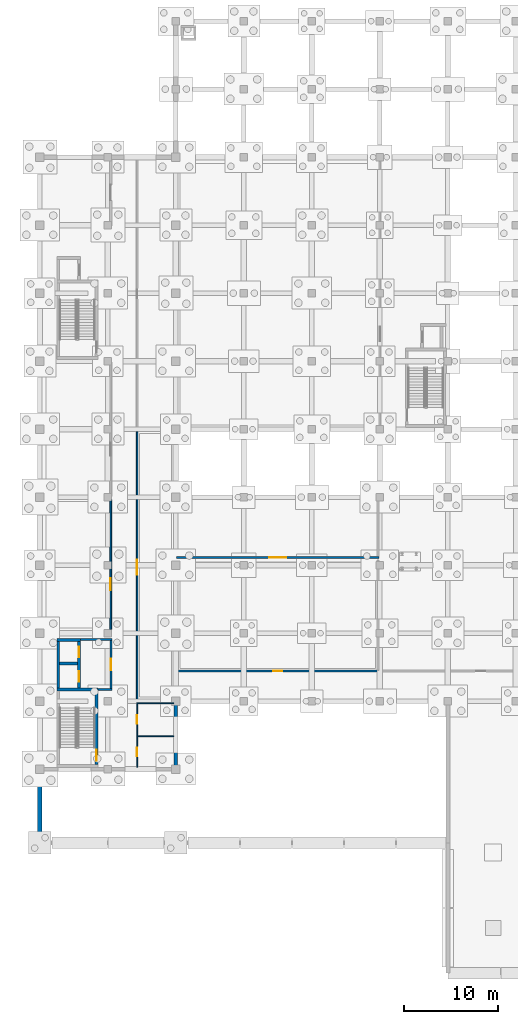
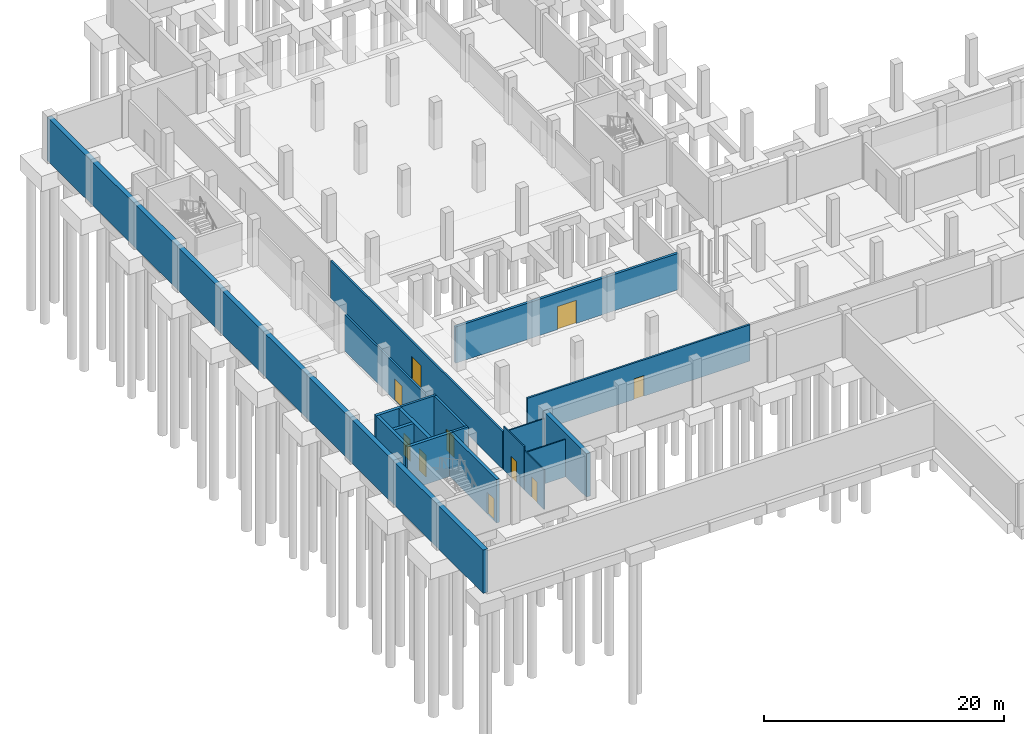
# One storey, part 23 of 38: 19 walls, 10 doors, 10 openings.
"""IFC4 building model written with IfcOpenShell, lengths in metres."""

from ifc_helpers import new_model, si_unit, direction, frame, frame_2d, origin, place, context, subcontext, project, spatial, rectangle, extrude, material, layer, layer_set, type_object, element, fill, save


model = new_model("IFC4")

# Units and contexts
model_context = context("Model", 3, precision=1e-05, world=origin(), true_north=direction((0.0, 1.0)))
body_context = subcontext(model_context, "Body", "Model", "MODEL_VIEW")
ifc_project = project(units=[si_unit("LENGTHUNIT", "METRE"), si_unit("AREAUNIT", "SQUARE_METRE"), si_unit("VOLUMEUNIT", "CUBIC_METRE"), si_unit("PLANEANGLEUNIT", "RADIAN"), si_unit("MASSUNIT", "GRAM", prefix="KILO")], contexts=[model_context])

# Site, building, storey
site_placement = place(None, origin())
site = spatial("IfcSite", under=ifc_project, at=site_placement, CompositionType="ELEMENT")
building_placement = place(site_placement, origin())
building = spatial("IfcBuilding", under=site, at=building_placement, Name="Valkovuoma Quantum and Materials Research Institute", CompositionType="ELEMENT")
storey_placement = place(building_placement, frame((0.0, 0.0, -4.800048828125)))
storey = spatial("IfcBuildingStorey", under=building, at=storey_placement, Name="B1", CompositionType="ELEMENT", Elevation=-4.800048828125)

# Wall
ifc_material_1 = material(Name="Concrete C40/50", Category="concrete")
ifc_layer_1 = layer(ifc_material_1, 0.300048828125)
ifc_layer_set_1 = layer_set([ifc_layer_1], Name="Concrete C40/50")
wall_type_1 = type_object("IfcWallType", Name="Wall-W-COR300", PredefinedType="SHEAR", material=ifc_layer_set_1)
wall_1_placement = place(storey_placement, frame((1.800048828125, 37.25, 0.0), z_axis=(0.0, 0.0, 1.0), x_axis=(1.0, 0.0, 0.0)))
element("IfcWall", 1, at=wall_1_placement, inside=storey, type_object=wall_type_1, Name="B1 core wall 0002", PredefinedType="SHEAR", context=body_context, shape_type="SweptSolid", body=[
    extrude(rectangle(XDim=4.349853515625, YDim=0.300048828125, at=frame_2d((2.1748046875, 0.0))), origin(), (0.0, 0.0, 1.0), 4.400146484375),
])

# Wall, opening, door
wall_2_placement = place(storey_placement, frame((6.0, 29.300048828125, 0.0), z_axis=(0.0, 0.0, 1.0), x_axis=(0.0, 1.0, 0.0)))
wall_2 = element("IfcWall", 2, at=wall_2_placement, inside=storey, type_object=wall_type_1, Name="B1 core wall 0004", PredefinedType="SHEAR", context=body_context, shape_type="SweptSolid", body=[
    extrude(rectangle(XDim=7.800048828125, YDim=0.300048828125, at=frame_2d((3.89990234375, 0.0))), origin(), (0.0, 0.0, 1.0), 4.400146484375),
])
opening_1_placement = place(wall_2_placement, frame((0.39990234375, 0.0, 0.0)))
opening_1 = element("IfcOpeningElement", 3, at=opening_1_placement, cuts=wall_2, Name="Opening SD-001", PredefinedType="OPENING", context=body_context, shape_type="SweptSolid", body=[
    extrude(rectangle(XDim=1.14990234375, YDim=2.199951171875, at=frame_2d((0.574951171875, 1.10009765625))), frame((0.0, 0.16015625, 0.0), z_axis=(0.0, -1.0, 0.0), x_axis=(1.0, 0.0, 0.0)), (0.0, 0.0, 1.0), 0.320068359375),
])
ifc_material_2 = material(Name="Powder-coated steel and acoustic timber door assembly", Category="steel")
door_type_1 = type_object("IfcDoorType", Name="Door-DR-ST60", OperationType="NOTDEFINED", PredefinedType="DOOR", material=ifc_material_2)
door_1_placement = place(opening_1_placement, origin())
door_1 = element("IfcDoor", 4, at=door_1_placement, inside=storey, type_object=door_type_1, Name="B1 ST-1 fire door", OperationType="SINGLE_SWING_RIGHT", OverallHeight=2.199951171875, OverallWidth=1.14990234375, PredefinedType="DOOR", context=body_context, shape_type="SweptSolid", body=[
    extrude(rectangle(XDim=1.14990234375, YDim=2.199951171875, at=frame_2d((0.574951171875, 1.10009765625))), frame((0.0, 0.02490234375, 0.0), z_axis=(0.0, -1.0, 0.0), x_axis=(1.0, 0.0, 0.0)), (0.0, 0.0, 1.0), 0.050048828125),
])
fill(opening_1, door_1)

# Walls
wall_3_placement = place(storey_placement, frame((1.800048828125, 42.47998046875, 0.0), z_axis=(0.0, 0.0, 1.0), x_axis=(1.0, 0.0, 0.0)))
element("IfcWall", 5, at=wall_3_placement, inside=storey, type_object=wall_type_1, Name="B1 core wall 0005", PredefinedType="SHEAR", context=body_context, shape_type="SweptSolid", body=[
    extrude(rectangle(XDim=2.47998046875, YDim=0.300048828125, at=frame_2d((1.239990234375, 0.0))), origin(), (0.0, 0.0, 1.0), 4.400146484375),
])
wall_4_placement = place(storey_placement, frame((2.10009765625, 39.97509765625, 0.0), z_axis=(0.0, 0.0, 1.0), x_axis=(1.0, 0.0, 0.0)))
element("IfcWall", 6, at=wall_4_placement, inside=storey, type_object=wall_type_1, Name="B1 core wall 0006", PredefinedType="SHEAR", context=body_context, shape_type="SweptSolid", body=[
    extrude(rectangle(XDim=1.8798828125, YDim=0.300048828125, at=frame_2d((0.93994140625, 0.0))), origin(), (0.0, 0.0, 1.0), 4.400146484375),
])
wall_5_placement = place(storey_placement, frame((1.949951171875, 37.39990234375, 0.0), z_axis=(0.0, 0.0, 1.0), x_axis=(0.0, 1.0, 0.0)))
element("IfcWall", 7, at=wall_5_placement, inside=storey, type_object=wall_type_1, Name="B1 core wall 0007", PredefinedType="SHEAR", context=body_context, shape_type="SweptSolid", body=[
    extrude(rectangle(XDim=4.93017578125, YDim=0.300048828125, at=frame_2d((2.465087890625, 0.0))), origin(), (0.0, 0.0, 1.0), 4.400146484375),
])

# Wall, openings, doors
wall_6_placement = place(storey_placement, frame((4.1298828125, 37.39990234375, 0.0), z_axis=(0.0, 0.0, 1.0), x_axis=(0.0, 1.0, 0.0)))
wall_6 = element("IfcWall", 8, at=wall_6_placement, inside=storey, type_object=wall_type_1, Name="B1 core wall 0008", PredefinedType="SHEAR", context=body_context, shape_type="SweptSolid", body=[
    extrude(rectangle(XDim=4.93017578125, YDim=0.300048828125, at=frame_2d((2.465087890625, 0.0))), origin(), (0.0, 0.0, 1.0), 4.400146484375),
])
opening_2_placement = place(wall_6_placement, frame((0.64990234375, 0.0, 0.0)))
opening_2 = element("IfcOpeningElement", 9, at=opening_2_placement, cuts=wall_6, Name="Opening LD-001", PredefinedType="OPENING", context=body_context, shape_type="SweptSolid", body=[
    extrude(rectangle(XDim=1.10009765625, YDim=2.199951171875, at=frame_2d((0.550048828125, 1.10009765625))), frame((0.0, 0.16015625, 0.0), z_axis=(0.0, -1.0, 0.0), x_axis=(1.0, 0.0, 0.0)), (0.0, 0.0, 1.0), 0.320068359375),
])
opening_3_placement = place(wall_6_placement, frame((3.25, 0.0, 0.0)))
opening_3 = element("IfcOpeningElement", 10, at=opening_3_placement, cuts=wall_6, Name="Opening LD-002", PredefinedType="OPENING", context=body_context, shape_type="SweptSolid", body=[
    extrude(rectangle(XDim=1.10009765625, YDim=2.199951171875, at=frame_2d((0.550048828125, 1.10009765625))), frame((0.0, 0.16015625, 0.0), z_axis=(0.0, -1.0, 0.0), x_axis=(1.0, 0.0, 0.0)), (0.0, 0.0, 1.0), 0.320068359375),
])
ifc_material_3 = material(Name="Powder-coated steel and acoustic timber door assembly", Category="steel")
door_type_2 = type_object("IfcDoorType", Name="Door-DR-LD01", OperationType="NOTDEFINED", PredefinedType="DOOR", material=ifc_material_3)
door_2_placement = place(opening_2_placement, origin())
door_2 = element("IfcDoor", 11, at=door_2_placement, inside=storey, type_object=door_type_2, Name="B1 LIFT-FF1 sliding landing door", OperationType="SLIDING_TO_LEFT", OverallHeight=2.199951171875, OverallWidth=1.10009765625, PredefinedType="DOOR", context=body_context, shape_type="SweptSolid", body=[
    extrude(rectangle(XDim=1.10009765625, YDim=2.199951171875, at=frame_2d((0.550048828125, 1.10009765625))), frame((0.0, 0.02490234375, 0.0), z_axis=(0.0, -1.0, 0.0), x_axis=(1.0, 0.0, 0.0)), (0.0, 0.0, 1.0), 0.050048828125),
])
fill(opening_2, door_2)
door_3_placement = place(opening_3_placement, origin())
door_3 = element("IfcDoor", 12, at=door_3_placement, inside=storey, type_object=door_type_2, Name="B1 LIFT-P1 sliding landing door", OperationType="SLIDING_TO_LEFT", OverallHeight=2.199951171875, OverallWidth=1.10009765625, PredefinedType="DOOR", context=body_context, shape_type="SweptSolid", body=[
    extrude(rectangle(XDim=1.10009765625, YDim=2.199951171875, at=frame_2d((0.550048828125, 1.10009765625))), frame((0.0, 0.02490234375, 0.0), z_axis=(0.0, -1.0, 0.0), x_axis=(1.0, 0.0, 0.0)), (0.0, 0.0, 1.0), 0.050048828125),
])
fill(opening_3, door_3)

# Walls
ifc_material_4 = material(Name="Concrete C40/50", Category="concrete")
ifc_layer_2 = layer(ifc_material_4, 0.219970703125)
ifc_layer_set_2 = layer_set([ifc_layer_2], Name="Concrete C40/50")
wall_type_2 = type_object("IfcWallType", Name="Wall-W-FFL220", PredefinedType="SOLIDWALL", material=ifc_layer_set_2)
wall_7_placement = place(storey_placement, frame((6.14990234375, 37.25, 0.0), z_axis=(0.0, 0.0, 1.0), x_axis=(1.0, 0.0, 0.0)))
element("IfcWall", 13, at=wall_7_placement, inside=storey, type_object=wall_type_2, Name="B1 core wall 0009", PredefinedType="SOLIDWALL", context=body_context, shape_type="SweptSolid", body=[
    extrude(rectangle(XDim=1.510009765625, YDim=0.219970703125, at=frame_2d((0.7548828125, 0.0))), origin(), (0.0, 0.0, 1.0), 4.400146484375),
])
wall_8_placement = place(storey_placement, frame((4.280029296875, 42.550048828125, 0.0), z_axis=(0.0, 0.0, 1.0), x_axis=(1.0, 0.0, 0.0)))
element("IfcWall", 14, at=wall_8_placement, inside=storey, type_object=wall_type_2, Name="B1 core wall 0010", PredefinedType="SOLIDWALL", context=body_context, shape_type="SweptSolid", body=[
    extrude(rectangle(XDim=3.3798828125, YDim=0.219970703125, at=frame_2d((1.68994140625, 0.0))), origin(), (0.0, 0.0, 1.0), 4.400146484375),
])

# Wall, opening, door
wall_9_placement = place(storey_placement, frame((7.550048828125, 37.360107421875, 0.0), z_axis=(0.0, 0.0, 1.0), x_axis=(0.0, 1.0, 0.0)))
wall_9 = element("IfcWall", 15, at=wall_9_placement, inside=storey, type_object=wall_type_2, Name="B1 core wall 0011", PredefinedType="SOLIDWALL", context=body_context, shape_type="SweptSolid", body=[
    extrude(rectangle(XDim=5.079833984375, YDim=0.219970703125, at=frame_2d((2.5400390625, 0.0))), origin(), (0.0, 0.0, 1.0), 4.400146484375),
])
opening_4_placement = place(wall_9_placement, frame((1.93994140625, 0.0, 0.0)))
opening_4 = element("IfcOpeningElement", 16, at=opening_4_placement, cuts=wall_9, Name="Opening FD-002", PredefinedType="OPENING", context=body_context, shape_type="SweptSolid", body=[
    extrude(rectangle(XDim=1.199951171875, YDim=2.199951171875, at=frame_2d((0.60009765625, 1.10009765625))), frame((0.0, 0.1201171875, 0.0), z_axis=(0.0, -1.0, 0.0), x_axis=(1.0, 0.0, 0.0)), (0.0, 0.0, 1.0), 0.239990234375),
])
ifc_material_5 = material(Name="Powder-coated steel and acoustic timber door assembly", Category="steel")
door_type_3 = type_object("IfcDoorType", Name="Door-DR-FF60", OperationType="NOTDEFINED", PredefinedType="DOOR", material=ifc_material_5)
door_4_placement = place(opening_4_placement, origin())
door_4 = element("IfcDoor", 17, at=door_4_placement, inside=storey, type_object=door_type_3, Name="B1 firefighting lobby door", OperationType="SINGLE_SWING_RIGHT", OverallHeight=2.199951171875, OverallWidth=1.199951171875, PredefinedType="DOOR", context=body_context, shape_type="SweptSolid", body=[
    extrude(rectangle(XDim=1.199951171875, YDim=2.199951171875, at=frame_2d((0.60009765625, 1.10009765625))), frame((0.0, 0.02490234375, 0.0), z_axis=(0.0, -1.0, 0.0), x_axis=(1.0, 0.0, 0.0)), (0.0, 0.0, 1.0), 0.050048828125),
])
fill(opening_4, door_4)

# Wall
ifc_material_6 = material(Name="Service and WC partition", Category="masonry")
ifc_layer_3 = layer(ifc_material_6, 0.1201171875)
ifc_layer_set_3 = layer_set([ifc_layer_3], Name="Service and WC partition")
wall_type_3 = type_object("IfcWallType", Name="Wall-W-PRT120", PredefinedType="PARTITIONING", material=ifc_layer_set_3)
wall_10_placement = place(storey_placement, frame((10.239990234375, 32.300048828125, 0.0), z_axis=(0.0, 0.0, 1.0), x_axis=(1.0, 0.0, 0.0)))
element("IfcWall", 18, at=wall_10_placement, inside=storey, type_object=wall_type_3, Name="B1 partition 0001", PredefinedType="PARTITIONING", context=body_context, shape_type="SweptSolid", body=[
    extrude(rectangle(XDim=3.9599609375, YDim=0.1201171875, at=frame_2d((1.97998046875, 0.0))), origin(), (0.0, 0.0, 1.0), 3.800048828125),
])

# Wall, opening, door
wall_11_placement = place(storey_placement, frame((10.300048828125, 29.0, 0.0), z_axis=(0.0, 0.0, 1.0), x_axis=(0.0, 1.0, 0.0)))
wall_11 = element("IfcWall", 19, at=wall_11_placement, inside=storey, type_object=wall_type_3, Name="B1 partition 0002", PredefinedType="PARTITIONING", context=body_context, shape_type="SweptSolid", body=[
    extrude(rectangle(XDim=3.239990234375, YDim=0.1201171875, at=frame_2d((1.6201171875, 0.0))), origin(), (0.0, 0.0, 1.0), 4.010009765625),
])
opening_5_placement = place(wall_11_placement, frame((1.14990234375, 0.0, 0.0)))
opening_5 = element("IfcOpeningElement", 20, at=opening_5_placement, cuts=wall_11, Name="Opening ID-0001", PredefinedType="OPENING", context=body_context, shape_type="SweptSolid", body=[
    extrude(rectangle(XDim=0.93994140625, YDim=2.10009765625, at=frame_2d((0.469970703125, 1.050048828125))), frame((0.0, 0.070068359375, 0.0), z_axis=(0.0, -1.0, 0.0), x_axis=(1.0, 0.0, 0.0)), (0.0, 0.0, 1.0), 0.14013671875),
])
ifc_material_7 = material(Name="Powder-coated steel and acoustic timber door assembly", Category="steel")
door_type_4 = type_object("IfcDoorType", Name="Door-DR-WC01", OperationType="NOTDEFINED", PredefinedType="DOOR", material=ifc_material_7)
door_5_placement = place(opening_5_placement, origin())
door_5 = element("IfcDoor", 21, at=door_5_placement, inside=storey, type_object=door_type_4, Name="B1 room door 0001", OperationType="SINGLE_SWING_RIGHT", OverallHeight=2.10009765625, OverallWidth=0.93994140625, PredefinedType="DOOR", context=body_context, shape_type="SweptSolid", body=[
    extrude(rectangle(XDim=0.93994140625, YDim=2.10009765625, at=frame_2d((0.469970703125, 1.050048828125))), frame((0.0, 0.02490234375, 0.0), z_axis=(0.0, -1.0, 0.0), x_axis=(1.0, 0.0, 0.0)), (0.0, 0.0, 1.0), 0.050048828125),
])
fill(opening_5, door_5)

# Wall
wall_12_placement = place(storey_placement, frame((10.239990234375, 35.800048828125, 0.0), z_axis=(0.0, 0.0, 1.0), x_axis=(1.0, 0.0, 0.0)))
element("IfcWall", 22, at=wall_12_placement, inside=storey, type_object=wall_type_3, Name="B1 partition 0003", PredefinedType="PARTITIONING", context=body_context, shape_type="SweptSolid", body=[
    extrude(rectangle(XDim=3.9599609375, YDim=0.1201171875, at=frame_2d((1.97998046875, 0.0))), origin(), (0.0, 0.0, 1.0), 3.800048828125),
])

# Wall, opening, door
wall_13_placement = place(storey_placement, frame((10.300048828125, 32.360107421875, 0.0), z_axis=(0.0, 0.0, 1.0), x_axis=(0.0, 1.0, 0.0)))
wall_13 = element("IfcWall", 23, at=wall_13_placement, inside=storey, type_object=wall_type_3, Name="B1 partition 0004", PredefinedType="PARTITIONING", context=body_context, shape_type="SweptSolid", body=[
    extrude(rectangle(XDim=3.3798828125, YDim=0.1201171875, at=frame_2d((1.68994140625, 0.0))), origin(), (0.0, 0.0, 1.0), 4.400146484375),
])
opening_6_placement = place(wall_13_placement, frame((1.239990234375, 0.0, 0.0)))
opening_6 = element("IfcOpeningElement", 24, at=opening_6_placement, cuts=wall_13, Name="Opening ID-0002", PredefinedType="OPENING", context=body_context, shape_type="SweptSolid", body=[
    extrude(rectangle(XDim=0.89990234375, YDim=2.10009765625, at=frame_2d((0.449951171875, 1.050048828125))), frame((0.0, 0.070068359375, 0.0), z_axis=(0.0, -1.0, 0.0), x_axis=(1.0, 0.0, 0.0)), (0.0, 0.0, 1.0), 0.14013671875),
])
ifc_material_8 = material(Name="Powder-coated steel and acoustic timber door assembly", Category="steel")
door_type_5 = type_object("IfcDoorType", Name="Door-DR-WC02", OperationType="NOTDEFINED", PredefinedType="DOOR", material=ifc_material_8)
door_6_placement = place(opening_6_placement, origin())
door_6 = element("IfcDoor", 25, at=door_6_placement, inside=storey, type_object=door_type_5, Name="B1 room door 0002", OperationType="SINGLE_SWING_LEFT", OverallHeight=2.10009765625, OverallWidth=0.89990234375, PredefinedType="DOOR", context=body_context, shape_type="SweptSolid", body=[
    extrude(rectangle(XDim=0.89990234375, YDim=2.10009765625, at=frame_2d((0.449951171875, 1.050048828125))), frame((0.0, 0.02490234375, 0.0), z_axis=(0.0, -1.0, 0.0), x_axis=(1.0, 0.0, 0.0)), (0.0, 0.0, 1.0), 0.050048828125),
])
fill(opening_6, door_6)

ifc_material_9 = material(Name="Laboratory fire-rated gypsum partition", Category="masonry")
ifc_layer_4 = layer(ifc_material_9, 0.179931640625)
ifc_layer_set_4 = layer_set([ifc_layer_4], Name="Laboratory fire-rated gypsum partition")
wall_type_4 = type_object("IfcWallType", Name="Wall-W-PRT180", PredefinedType="PARTITIONING", material=ifc_layer_set_4)
wall_14_placement = place(storey_placement, frame((7.5, 43.590087890625, 0.0), z_axis=(0.0, 0.0, 1.0), x_axis=(0.0, 1.0, 0.0)))
wall_14 = element("IfcWall", 26, at=wall_14_placement, inside=storey, type_object=wall_type_4, Name="B1 partition 0005", PredefinedType="PARTITIONING", context=body_context, shape_type="SweptSolid", body=[
    extrude(rectangle(XDim=13.719970703125, YDim=0.179931640625, at=frame_2d((6.85986328125, 0.0))), origin(), (0.0, 0.0, 1.0), 3.699951171875),
])
opening_7_placement = place(wall_14_placement, frame((4.177001953125, 0.0, 0.0)))
opening_7 = element("IfcOpeningElement", 27, at=opening_7_placement, cuts=wall_14, Name="Opening ID-0003", PredefinedType="OPENING", context=body_context, shape_type="SweptSolid", body=[
    extrude(rectangle(XDim=1.25, YDim=2.199951171875, at=frame_2d((0.625, 1.10009765625))), frame((0.0, 0.10009765625, 0.0), z_axis=(0.0, -1.0, 0.0), x_axis=(1.0, 0.0, 0.0)), (0.0, 0.0, 1.0), 0.199951171875),
])
ifc_material_10 = material(Name="Powder-coated steel and acoustic timber door assembly", Category="steel")
door_type_6 = type_object("IfcDoorType", Name="Door-DR-LB03", OperationType="NOTDEFINED", PredefinedType="DOOR", material=ifc_material_10)
door_7_placement = place(opening_7_placement, origin())
door_7 = element("IfcDoor", 28, at=door_7_placement, inside=storey, type_object=door_type_6, Name="B1 room door 0003", OperationType="SINGLE_SWING_RIGHT", OverallHeight=2.199951171875, OverallWidth=1.25, PredefinedType="DOOR", context=body_context, shape_type="SweptSolid", body=[
    extrude(rectangle(XDim=1.25, YDim=2.199951171875, at=frame_2d((0.625, 1.10009765625))), frame((0.0, 0.02490234375, 0.0), z_axis=(0.0, -1.0, 0.0), x_axis=(1.0, 0.0, 0.0)), (0.0, 0.0, 1.0), 0.050048828125),
])
fill(opening_7, door_7)

wall_15_placement = place(storey_placement, frame((10.300048828125, 35.860107421875, 0.0), z_axis=(0.0, 0.0, 1.0), x_axis=(0.0, 1.0, 0.0)))
wall_15 = element("IfcWall", 29, at=wall_15_placement, inside=storey, type_object=wall_type_4, Name="B1 partition 0008", PredefinedType="PARTITIONING", context=body_context, shape_type="SweptSolid", body=[
    extrude(rectangle(XDim=28.64990234375, YDim=0.179931640625, at=frame_2d((14.324951171875, 0.0))), origin(), (0.0, 0.0, 1.0), 3.800048828125),
])
opening_8_placement = place(wall_15_placement, frame((13.52490234375, 0.0, 0.0)))
opening_8 = element("IfcOpeningElement", 30, at=opening_8_placement, cuts=wall_15, Name="Opening ID-0006", PredefinedType="OPENING", context=body_context, shape_type="SweptSolid", body=[
    extrude(rectangle(XDim=1.60009765625, YDim=2.25, at=frame_2d((0.800048828125, 1.125))), frame((0.0, 0.10009765625, 0.0), z_axis=(0.0, -1.0, 0.0), x_axis=(1.0, 0.0, 0.0)), (0.0, 0.0, 1.0), 0.199951171875),
])
ifc_material_11 = material(Name="Powder-coated steel and acoustic timber door assembly", Category="steel")
door_type_7 = type_object("IfcDoorType", Name="Door-DR-LB06", OperationType="NOTDEFINED", PredefinedType="DOOR", material=ifc_material_11)
door_8_placement = place(opening_8_placement, origin())
door_8 = element("IfcDoor", 31, at=door_8_placement, inside=storey, type_object=door_type_7, Name="B1 room door 0006", OperationType="DOUBLE_DOOR_SINGLE_SWING", OverallHeight=2.25, OverallWidth=1.60009765625, PredefinedType="DOOR", context=body_context, shape_type="SweptSolid", body=[
    extrude(rectangle(XDim=1.60009765625, YDim=2.25, at=frame_2d((0.800048828125, 1.125))), frame((0.0, 0.02490234375, 0.0), z_axis=(0.0, -1.0, 0.0), x_axis=(1.0, 0.0, 0.0)), (0.0, 0.0, 1.0), 0.050048828125),
])
fill(opening_8, door_8)

wall_16_placement = place(storey_placement, frame((14.510009765625, 39.199951171875, 0.0), z_axis=(0.0, 0.0, 1.0), x_axis=(1.0, 0.0, 0.0)))
wall_16 = element("IfcWall", 32, at=wall_16_placement, inside=storey, type_object=wall_type_4, Name="B1 partition 0010", PredefinedType="PARTITIONING", context=body_context, shape_type="SweptSolid", body=[
    extrude(rectangle(XDim=21.3798828125, YDim=0.179931640625, at=frame_2d((10.68994140625, 0.0))), origin(), (0.0, 0.0, 1.0), 3.699951171875),
])
opening_9_placement = place(wall_16_placement, frame((10.215087890625, 0.0, 0.0)))
opening_9 = element("IfcOpeningElement", 33, at=opening_9_placement, cuts=wall_16, Name="Opening ID-0008", PredefinedType="OPENING", context=body_context, shape_type="SweptSolid", body=[
    extrude(rectangle(XDim=0.949951171875, YDim=2.10009765625, at=frame_2d((0.47509765625, 1.050048828125))), frame((0.0, 0.10009765625, 0.0), z_axis=(0.0, -1.0, 0.0), x_axis=(1.0, 0.0, 0.0)), (0.0, 0.0, 1.0), 0.199951171875),
])
ifc_material_12 = material(Name="Powder-coated steel and acoustic timber door assembly", Category="steel")
door_type_8 = type_object("IfcDoorType", Name="Door-DR-OF02", OperationType="NOTDEFINED", PredefinedType="DOOR", material=ifc_material_12)
door_9_placement = place(opening_9_placement, origin())
door_9 = element("IfcDoor", 34, at=door_9_placement, inside=storey, type_object=door_type_8, Name="B1 room door 0008", OperationType="SINGLE_SWING_LEFT", OverallHeight=2.10009765625, OverallWidth=0.949951171875, PredefinedType="DOOR", context=body_context, shape_type="SweptSolid", body=[
    extrude(rectangle(XDim=0.949951171875, YDim=2.10009765625, at=frame_2d((0.47509765625, 1.050048828125))), frame((0.0, 0.02490234375, 0.0), z_axis=(0.0, -1.0, 0.0), x_axis=(1.0, 0.0, 0.0)), (0.0, 0.0, 1.0), 0.050048828125),
])
fill(opening_9, door_9)

# Walls
ifc_material_13 = material(Name="Concrete C35/45", Category="concrete")
ifc_layer_5 = layer(ifc_material_13, 0.39990234375)
ifc_layer_set_5 = layer_set([ifc_layer_5], Name="Concrete C35/45")
wall_type_5 = type_object("IfcWallType", Name="Wall-W-RET400", PredefinedType="STANDARD", material=ifc_layer_set_5)
wall_17_placement = place(storey_placement, frame((14.39990234375, 28.800048828125, 0.0), z_axis=(0.0, 0.0, 1.0), x_axis=(0.0, 1.0, 0.0)))
element("IfcWall", 35, at=wall_17_placement, inside=storey, type_object=wall_type_5, Name="B1 exterior wall 0024", PredefinedType="STANDARD", context=body_context, shape_type="SweptSolid", body=[
    extrude(rectangle(XDim=7.199951171875, YDim=0.39990234375, at=frame_2d((3.60009765625, 0.0))), origin(), (0.0, 0.0, 1.0), 4.400146484375),
])
ifc_material_14 = material(Name="Concrete C35/45", Category="concrete")
ifc_layer_6 = layer(ifc_material_14, 0.449951171875)
ifc_layer_set_6 = layer_set([ifc_layer_6], Name="Concrete C35/45")
wall_type_6 = type_object("IfcWallType", Name="Wall-W-RET450", PredefinedType="STANDARD", material=ifc_layer_set_6)
wall_18_placement = place(storey_placement, frame((0.0, 21.0, 0.0), z_axis=(0.0, 0.0, 1.0), x_axis=(0.0, 1.0, 0.0)))
element("IfcWall", 36, at=wall_18_placement, inside=storey, type_object=wall_type_6, Name="B1 exterior wall 0001", PredefinedType="STANDARD", context=body_context, shape_type="SweptSolid", body=[
    extrude(rectangle(XDim=72.60009765625, YDim=0.449951171875, at=frame_2d((36.300048828125, 0.0))), origin(), (0.0, 0.0, 1.0), 4.400146484375),
])

# Wall, opening, door
ifc_material_15 = material(Name="Concrete C40/50", Category="concrete")
ifc_layer_7 = layer(ifc_material_15, 0.239990234375)
ifc_layer_set_7 = layer_set([ifc_layer_7], Name="Concrete C40/50")
wall_type_7 = type_object("IfcWallType", Name="Wall-W-SHF240", PredefinedType="SOLIDWALL", material=ifc_layer_set_7)
wall_19_placement = place(storey_placement, frame((14.47998046875, 51.199951171875, 0.0), z_axis=(0.0, 0.0, 1.0), x_axis=(1.0, 0.0, 0.0)))
wall_19 = element("IfcWall", 37, at=wall_19_placement, inside=storey, type_object=wall_type_7, Name="B1 partition 0013", PredefinedType="SOLIDWALL", context=body_context, shape_type="SweptSolid", body=[
    extrude(rectangle(XDim=21.43994140625, YDim=0.239990234375, at=frame_2d((10.719970703125, 0.0))), origin(), (0.0, 0.0, 1.0), 3.699951171875),
])
opening_10_placement = place(wall_19_placement, frame((9.820068359375, 0.0, 0.0)))
opening_10 = element("IfcOpeningElement", 38, at=opening_10_placement, cuts=wall_19, Name="Opening ID-0010", PredefinedType="OPENING", context=body_context, shape_type="SweptSolid", body=[
    extrude(rectangle(XDim=1.800048828125, YDim=2.35009765625, at=frame_2d((0.89990234375, 1.175048828125))), frame((0.0, 0.1298828125, 0.0), z_axis=(0.0, -1.0, 0.0), x_axis=(1.0, 0.0, 0.0)), (0.0, 0.0, 1.0), 0.260009765625),
])
ifc_material_16 = material(Name="Powder-coated steel and acoustic timber door assembly", Category="steel")
door_type_9 = type_object("IfcDoorType", Name="Door-DR-PL02", OperationType="NOTDEFINED", PredefinedType="DOOR", material=ifc_material_16)
door_10_placement = place(opening_10_placement, origin())
door_10 = element("IfcDoor", 39, at=door_10_placement, inside=storey, type_object=door_type_9, Name="B1 room door 0010", OperationType="DOUBLE_DOOR_SINGLE_SWING", OverallHeight=2.35009765625, OverallWidth=1.800048828125, PredefinedType="DOOR", context=body_context, shape_type="SweptSolid", body=[
    extrude(rectangle(XDim=1.800048828125, YDim=2.35009765625, at=frame_2d((0.89990234375, 1.175048828125))), frame((0.0, 0.02490234375, 0.0), z_axis=(0.0, -1.0, 0.0), x_axis=(1.0, 0.0, 0.0)), (0.0, 0.0, 1.0), 0.050048828125),
])
fill(opening_10, door_10)

save(model, "model.ifc")
